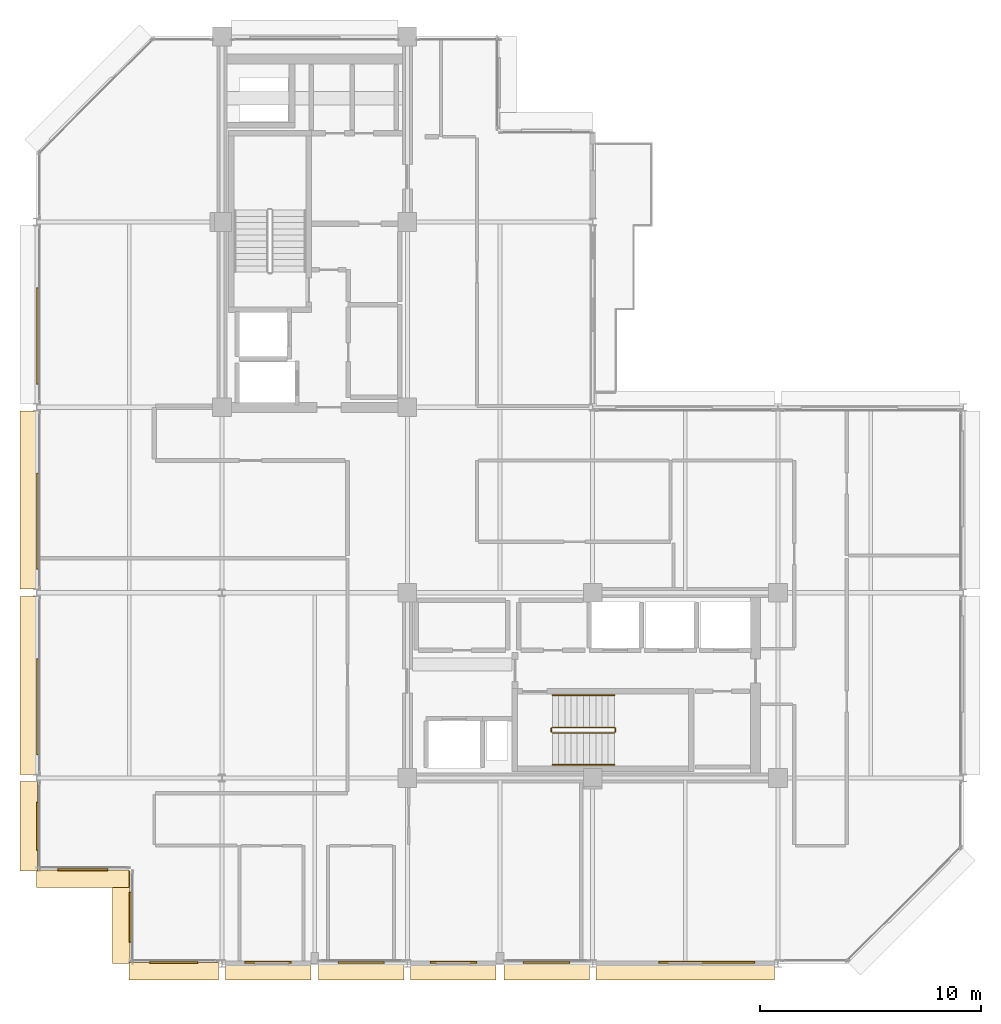
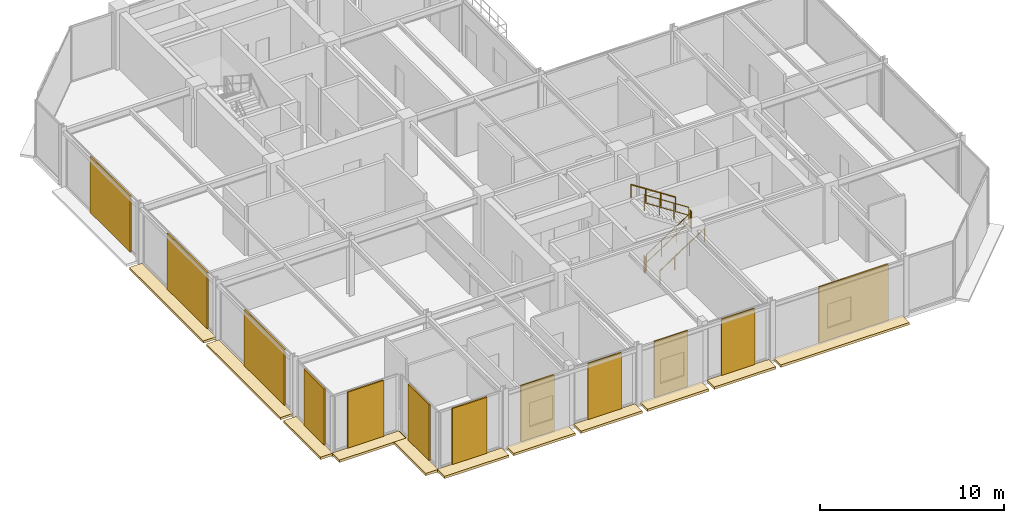
# One storey, part 24 of 27: 23 coverings, 6 railings.
"""IFC4 building model written with IfcOpenShell, lengths in metres."""

from ifc_helpers import new_model, si_unit, direction, frame, origin, origin_2d, place, context, subcontext, project, spatial, polyline, rectangle, circle, outline, extrude, material, layer, layer_set, type_object, element, save


model = new_model("IFC4")

# Units and contexts
model_context = context("Model", 3, precision=1e-05, world=origin(), true_north=direction((0.0, 1.0)))
body_context = subcontext(model_context, "Body", "Model", "MODEL_VIEW")
ifc_project = project(units=[si_unit("LENGTHUNIT", "METRE"), si_unit("AREAUNIT", "SQUARE_METRE"), si_unit("VOLUMEUNIT", "CUBIC_METRE"), si_unit("PLANEANGLEUNIT", "RADIAN"), si_unit("MASSUNIT", "GRAM", prefix="KILO")], contexts=[model_context])

# Site, building, storey
site_placement = place(None, origin())
site = spatial("IfcSite", under=ifc_project, at=site_placement, CompositionType="ELEMENT")
building_placement = place(site_placement, origin())
building = spatial("IfcBuilding", under=site, at=building_placement, Name="Nerrivon Quay Data Exchange", CompositionType="ELEMENT")
storey_placement = place(building_placement, frame((0.0, 0.0, 254.199951171875)))
storey = spatial("IfcBuildingStorey", under=building, at=storey_placement, Name="L60", CompositionType="ELEMENT", Elevation=254.199951171875)

# Coverings
ifc_material_1 = material(Name="Architectural terracotta ceramic", Category="masonry")
ifc_layer_1 = layer(ifc_material_1, 0.159912109375)
ifc_layer_set_1 = layer_set([ifc_layer_1], Name="Architectural terracotta ceramic")
covering_type_1 = type_object("IfcCoveringType", Name="COV-BLD-TERR", PredefinedType="CLADDING", material=ifc_layer_set_1)
covering_1_placement = place(storey_placement, frame((0.0, 0.0, -0.159912109375)))
element("IfcCovering", 1, at=covering_1_placement, inside=storey, type_object=covering_type_1, Name="L60 Horizontal Terracotta SOLAR SCREEN Blade", PredefinedType="CLADDING", context=body_context, shape_type="SweptSolid", body=[
    extrude(outline(polyline([(33.444580078125, 0.0400390625), (25.35546875, 0.0400390625), (25.35546875, -0.75), (33.444580078125, -0.75), (33.444580078125, 0.0400390625)])), origin(), (0.0, 0.0, 1.0), 0.159912109375),
])
covering_2_placement = place(storey_placement, frame((0.0, 0.0, -0.159912109375)))
element("IfcCovering", 2, at=covering_2_placement, inside=storey, type_object=covering_type_1, Name="L60 Horizontal Terracotta SOLAR SCREEN Blade", PredefinedType="CLADDING", context=body_context, shape_type="SweptSolid", body=[
    extrude(outline(polyline([(25.04443359375, 0.0400390625), (21.175048828125, 0.0400390625), (21.175048828125, -0.75), (25.04443359375, -0.75), (25.04443359375, 0.0400390625)])), origin(), (0.0, 0.0, 1.0), 0.159912109375),
])
covering_3_placement = place(storey_placement, frame((0.0, 0.0, -0.159912109375)))
element("IfcCovering", 3, at=covering_3_placement, inside=storey, type_object=covering_type_1, Name="L60 Horizontal Terracotta SOLAR SCREEN Blade", PredefinedType="CLADDING", context=body_context, shape_type="SweptSolid", body=[
    extrude(outline(polyline([(20.824951171875, 0.0400390625), (16.95556640625, 0.0400390625), (16.95556640625, -0.75), (20.824951171875, -0.75), (20.824951171875, 0.0400390625)])), origin(), (0.0, 0.0, 1.0), 0.159912109375),
])
covering_4_placement = place(storey_placement, frame((0.0, 0.0, -0.159912109375)))
element("IfcCovering", 4, at=covering_4_placement, inside=storey, type_object=covering_type_1, Name="L60 Horizontal Terracotta SOLAR SCREEN Blade", PredefinedType="CLADDING", context=body_context, shape_type="SweptSolid", body=[
    extrude(outline(polyline([(16.64453125, 0.0400390625), (12.77490234375, 0.0400390625), (12.77490234375, -0.75), (16.64453125, -0.75), (16.64453125, 0.0400390625)])), origin(), (0.0, 0.0, 1.0), 0.159912109375),
])
covering_5_placement = place(storey_placement, frame((0.0, 0.0, -0.159912109375)))
element("IfcCovering", 5, at=covering_5_placement, inside=storey, type_object=covering_type_1, Name="L60 Horizontal Terracotta SOLAR SCREEN Blade", PredefinedType="CLADDING", context=body_context, shape_type="SweptSolid", body=[
    extrude(outline(polyline([(12.425048828125, 0.0400390625), (8.555419921875, 0.0400390625), (8.555419921875, -0.75), (12.425048828125, -0.75), (12.425048828125, 0.0400390625)])), origin(), (0.0, 0.0, 1.0), 0.159912109375),
])
covering_6_placement = place(storey_placement, frame((0.0, 0.0, -0.159912109375)))
element("IfcCovering", 6, at=covering_6_placement, inside=storey, type_object=covering_type_1, Name="L60 Horizontal Terracotta SOLAR SCREEN Blade", PredefinedType="CLADDING", context=body_context, shape_type="SweptSolid", body=[
    extrude(outline(polyline([(8.244384765625, 0.0400390625), (4.199951171875, 0.0400390625), (4.199951171875, -0.75), (8.244384765625, -0.75), (8.244384765625, 0.0400390625)])), origin(), (0.0, 0.0, 1.0), 0.159912109375),
])
covering_7_placement = place(storey_placement, frame((0.0, 0.0, -0.159912109375)))
element("IfcCovering", 7, at=covering_7_placement, inside=storey, type_object=covering_type_1, Name="L60 Horizontal Terracotta SOLAR SCREEN Blade", PredefinedType="CLADDING", context=body_context, shape_type="SweptSolid", body=[
    extrude(outline(polyline([(4.239990234375, 0.0), (4.239990234375, 4.199951171875), (3.449951171875, 4.199951171875), (3.449951171875, 0.0), (4.239990234375, 0.0)])), origin(), (0.0, 0.0, 1.0), 0.159912109375),
])
covering_8_placement = place(storey_placement, frame((0.0, 0.0, -0.159912109375)))
element("IfcCovering", 8, at=covering_8_placement, inside=storey, type_object=covering_type_1, Name="L60 Horizontal Terracotta SOLAR SCREEN Blade", PredefinedType="CLADDING", context=body_context, shape_type="SweptSolid", body=[
    extrude(outline(polyline([(4.199951171875, 4.239990234375), (0.0, 4.239990234375), (0.0, 3.449951171875), (4.199951171875, 3.449951171875), (4.199951171875, 4.239990234375)])), origin(), (0.0, 0.0, 1.0), 0.159912109375),
])
covering_9_placement = place(storey_placement, frame((0.0, 0.0, -0.159912109375)))
element("IfcCovering", 9, at=covering_9_placement, inside=storey, type_object=covering_type_1, Name="L60 Horizontal Terracotta SOLAR SCREEN Blade", PredefinedType="CLADDING", context=body_context, shape_type="SweptSolid", body=[
    extrude(outline(polyline([(0.0400390625, 4.199951171875), (0.0400390625, 8.236572265625), (-0.75, 8.236572265625), (-0.75, 4.199951171875), (0.0400390625, 4.199951171875)])), origin(), (0.0, 0.0, 1.0), 0.159912109375),
])
covering_10_placement = place(storey_placement, frame((0.0, 0.0, -0.159912109375)))
element("IfcCovering", 10, at=covering_10_placement, inside=storey, type_object=covering_type_1, Name="L60 Horizontal Terracotta SOLAR SCREEN Blade", PredefinedType="CLADDING", context=body_context, shape_type="SweptSolid", body=[
    extrude(outline(polyline([(0.0400390625, 8.5634765625), (0.0400390625, 16.636474609375), (-0.75, 16.636474609375), (-0.75, 8.5634765625), (0.0400390625, 8.5634765625)])), origin(), (0.0, 0.0, 1.0), 0.159912109375),
])
covering_11_placement = place(storey_placement, frame((0.0, 0.0, -0.159912109375)))
element("IfcCovering", 11, at=covering_11_placement, inside=storey, type_object=covering_type_1, Name="L60 Horizontal Terracotta SOLAR SCREEN Blade", PredefinedType="CLADDING", context=body_context, shape_type="SweptSolid", body=[
    extrude(outline(polyline([(0.0400390625, 16.96337890625), (0.0400390625, 25.03662109375), (-0.75, 25.03662109375), (-0.75, 16.96337890625), (0.0400390625, 16.96337890625)])), origin(), (0.0, 0.0, 1.0), 0.159912109375),
])
ifc_layer_2 = layer(ifc_material_1, 0.090087890625)
ifc_layer_set_2 = layer_set([ifc_layer_2], Name="Architectural terracotta ceramic")
covering_type_2 = type_object("IfcCoveringType", Name="COV-SCR-TERR", PredefinedType="CLADDING", material=ifc_layer_set_2)
covering_12_placement = place(storey_placement, frame((30.37060546875, 0.044921875, 0.0), z_axis=(0.0, 0.0, 1.0), x_axis=(-1.0, 0.0, 0.0)))
element("IfcCovering", 12, at=covering_12_placement, inside=storey, type_object=covering_type_2, Name="L60 Perforated Terracotta SOLAR SCREEN Cassette", PredefinedType="CLADDING", context=body_context, shape_type="SweptSolid", body=[
    extrude(rectangle(XDim=4.367919921875, YDim=0.090087890625, at=origin_2d()), origin(), (0.0, 0.0, 1.0), 3.72509765625),
])
for number, where, z_axis, x_axis, name in (
    (13, (23.109619140625, 0.044921875, 0.0), (0.0, 0.0, 1.0), (-1.0, 0.0, 0.0), "L60 Perforated Terracotta SOLAR SCREEN Cassette"),
    (14, (18.890380859375, 0.044921875, 0.0), (0.0, 0.0, 1.0), (-1.0, 0.0, 0.0), "L60 Perforated Terracotta SOLAR SCREEN Cassette"),
    (15, (14.709716796875, 0.044921875, 0.0), (0.0, 0.0, 1.0), (-1.0, 0.0, 0.0), "L60 Perforated Terracotta SOLAR SCREEN Cassette"),
    (16, (10.490234375, 0.044921875, 0.0), (0.0, 0.0, 1.0), (-1.0, 0.0, 0.0), "L60 Perforated Terracotta SOLAR SCREEN Cassette"),
):
    element("IfcCovering", number, at=place(storey_placement, frame(where, z_axis=z_axis, x_axis=x_axis)), inside=storey, type_object=covering_type_2, Name=name, PredefinedType="CLADDING", context=body_context, shape_type="SweptSolid", body=[
        extrude(rectangle(XDim=2.090087890625, YDim=0.090087890625, at=origin_2d()), origin(), (0.0, 0.0, 1.0), 3.72509765625),
    ])
covering_13_placement = place(storey_placement, frame((6.222412109375, 0.044921875, 0.0), z_axis=(0.0, 0.0, 1.0), x_axis=(-1.0, 0.0, 0.0)))
element("IfcCovering", 17, at=covering_13_placement, inside=storey, type_object=covering_type_2, Name="L60 Perforated Terracotta SOLAR SCREEN Cassette", PredefinedType="CLADDING", context=body_context, shape_type="SweptSolid", body=[
    extrude(rectangle(XDim=2.18408203125, YDim=0.090087890625, at=origin_2d()), origin(), (0.0, 0.0, 1.0), 3.72509765625),
])
for number, where, z_axis, x_axis, name in (
    (18, (4.2451171875, 2.10009765625, 0.0), (0.0, 0.0, 1.0), (0.0, 1.0, 0.0), "L60 Perforated Terracotta SOLAR SCREEN Cassette"),
    (19, (2.10009765625, 4.2451171875, 0.0), (0.0, 0.0, 1.0), (-1.0, 0.0, 0.0), "L60 Perforated Terracotta SOLAR SCREEN Cassette"),
):
    element("IfcCovering", number, at=place(storey_placement, frame(where, z_axis=z_axis, x_axis=x_axis)), inside=storey, type_object=covering_type_2, Name=name, PredefinedType="CLADDING", context=body_context, shape_type="SweptSolid", body=[
        extrude(rectangle(XDim=2.26806640625, YDim=0.090087890625, at=origin_2d()), origin(), (0.0, 0.0, 1.0), 3.72509765625),
    ])
covering_14_placement = place(storey_placement, frame((0.044921875, 6.21826171875, 0.0), z_axis=(0.0, 0.0, 1.0), x_axis=(0.0, 1.0, 0.0)))
element("IfcCovering", 20, at=covering_14_placement, inside=storey, type_object=covering_type_2, Name="L60 Perforated Terracotta SOLAR SCREEN Cassette", PredefinedType="CLADDING", context=body_context, shape_type="SweptSolid", body=[
    extrude(rectangle(XDim=2.179931640625, YDim=0.090087890625, at=origin_2d()), origin(), (0.0, 0.0, 1.0), 3.72509765625),
])
for number, where, z_axis, x_axis, name in (
    (21, (0.044921875, 11.631103515625, 0.0), (0.0, 0.0, 1.0), (0.0, 1.0, 0.0), "L60 Perforated Terracotta SOLAR SCREEN Cassette"),
    (22, (0.044921875, 20.03125, 0.0), (0.0, 0.0, 1.0), (0.0, 1.0, 0.0), "L60 Perforated Terracotta SOLAR SCREEN Cassette"),
    (23, (0.044921875, 28.43115234375, 0.0), (0.0, 0.0, 1.0), (0.0, 1.0, 0.0), "L60 Perforated Terracotta SOLAR SCREEN Cassette"),
):
    element("IfcCovering", number, at=place(storey_placement, frame(where, z_axis=z_axis, x_axis=x_axis)), inside=storey, type_object=covering_type_2, Name=name, PredefinedType="CLADDING", context=body_context, shape_type="SweptSolid", body=[
        extrude(rectangle(XDim=4.35888671875, YDim=0.090087890625, at=origin_2d()), origin(), (0.0, 0.0, 1.0), 3.72509765625),
    ])

# Railings
ifc_material_2 = material(Name="Steel Grade C350L0 (350 MPa)", Category="steel")
railing_type_1 = type_object("IfcRailingType", Name="RAIL-HAND-HR1", PredefinedType="HANDRAIL", material=ifc_material_2)
railing_1_placement = place(storey_placement, frame((23.3798828125, 9.0, 0.181884765625)))
element("IfcRailing", 24, at=railing_1_placement, inside=storey, type_object=railing_type_1, Name="L60 ST02 stair handrail 1", PredefinedType="HANDRAIL", context=body_context, shape_type="SweptSolid", body=[
    extrude(circle(Radius=0.02392578125, at=origin_2d()), frame((0.0, 0.0, 0.8759765625), z_axis=(0.838705829183, 0.0, 0.544584733623), x_axis=(0.0, 1.0, 0.0)), (0.0, 0.0, 1.0), 3.338623046875),
    extrude(circle(Radius=0.02099609375, at=origin_2d()), origin(), (0.0, 0.0, 1.0), 0.851806640625),
    extrude(circle(Radius=0.02099609375, at=origin_2d()), frame((0.933349609375, 0.0, 0.60595703125)), (0.0, 0.0, 1.0), 0.851806640625),
    extrude(circle(Radius=0.02099609375, at=origin_2d()), frame((1.86669921875, 0.0, 1.212158203125)), (0.0, 0.0, 1.0), 0.851806640625),
    extrude(circle(Radius=0.02099609375, at=origin_2d()), frame((2.800048828125, 0.0, 1.818115234375)), (0.0, 0.0, 1.0), 0.851806640625),
])
railing_2_placement = place(storey_placement, frame((26.179931640625, 12.14990234375, 2.181884765625)))
element("IfcRailing", 25, at=railing_2_placement, inside=storey, type_object=railing_type_1, Name="L60 ST02 stair handrail 2", PredefinedType="HANDRAIL", context=body_context, shape_type="SweptSolid", body=[
    extrude(circle(Radius=0.02392578125, at=origin_2d()), frame((0.0, 0.0, 0.8759765625), z_axis=(-0.838705829183, 0.0, 0.544584733623), x_axis=(0.0, -1.0, 0.0)), (0.0, 0.0, 1.0), 3.338623046875),
    extrude(circle(Radius=0.02099609375, at=origin_2d()), origin(), (0.0, 0.0, 1.0), 0.851806640625),
    extrude(circle(Radius=0.02099609375, at=origin_2d()), frame((-0.933349609375, 0.0, 0.60595703125)), (0.0, 0.0, 1.0), 0.851806640625),
    extrude(circle(Radius=0.02099609375, at=origin_2d()), frame((-1.86669921875, 0.0, 1.212158203125)), (0.0, 0.0, 1.0), 0.851806640625),
    extrude(circle(Radius=0.02099609375, at=origin_2d()), frame((-2.800048828125, 0.0, 1.818115234375)), (0.0, 0.0, 1.0), 0.851806640625),
])
railing_type_2 = type_object("IfcRailingType", Name="RAIL-STAIR-GR1", PredefinedType="BALUSTRADE", material=ifc_material_2)
railing_3_placement = place(storey_placement, frame((23.3798828125, 10.449951171875, 0.181884765625)))
element("IfcRailing", 26, at=railing_3_placement, inside=storey, type_object=railing_type_2, Name="L60 ST02 stair guard 1", PredefinedType="BALUSTRADE", context=body_context, shape_type="SweptSolid", body=[
    extrude(circle(Radius=0.02392578125, at=origin_2d()), frame((0.0, 0.0, 1.076171875), z_axis=(0.838705829183, 0.0, 0.544584733623), x_axis=(0.0, 1.0, 0.0)), (0.0, 0.0, 1.0), 3.338623046875),
    extrude(circle(Radius=0.02392578125, at=origin_2d()), frame((0.0, 0.0, 0.550048828125), z_axis=(0.838705829183, 0.0, 0.544584733623), x_axis=(0.0, 1.0, 0.0)), (0.0, 0.0, 1.0), 3.338623046875),
    extrude(circle(Radius=0.02099609375, at=origin_2d()), origin(), (0.0, 0.0, 1.0), 1.052001953125),
    extrude(circle(Radius=0.02099609375, at=origin_2d()), frame((0.933349609375, 0.0, 0.60595703125)), (0.0, 0.0, 1.0), 1.052001953125),
    extrude(circle(Radius=0.02099609375, at=origin_2d()), frame((1.86669921875, 0.0, 1.212158203125)), (0.0, 0.0, 1.0), 1.052001953125),
    extrude(circle(Radius=0.02099609375, at=origin_2d()), frame((2.800048828125, 0.0, 1.818115234375)), (0.0, 0.0, 1.0), 1.052001953125),
])
railing_4_placement = place(storey_placement, frame((26.22998046875, 10.5, 2.0)))
element("IfcRailing", 27, at=railing_4_placement, inside=storey, type_object=railing_type_2, Name="L60 ST02 stair guard 2", PredefinedType="BALUSTRADE", context=body_context, shape_type="SweptSolid", body=[
    extrude(circle(Radius=0.02392578125, at=origin_2d()), frame((0.0, 0.0, 1.076171875), z_axis=(0.0, 1.0, 0.0), x_axis=(-1.0, 0.0, 0.0)), (0.0, 0.0, 1.0), 0.14990234375),
    extrude(circle(Radius=0.02392578125, at=origin_2d()), frame((0.0, 0.0, 0.550048828125), z_axis=(0.0, 1.0, 0.0), x_axis=(-1.0, 0.0, 0.0)), (0.0, 0.0, 1.0), 0.14990234375),
    extrude(circle(Radius=0.02099609375, at=origin_2d()), origin(), (0.0, 0.0, 1.0), 1.052001953125),
    extrude(circle(Radius=0.02099609375, at=origin_2d()), frame((0.0, 0.14990234375, 0.0)), (0.0, 0.0, 1.0), 1.052001953125),
])
railing_5_placement = place(storey_placement, frame((26.179931640625, 10.699951171875, 2.181884765625)))
element("IfcRailing", 28, at=railing_5_placement, inside=storey, type_object=railing_type_2, Name="L60 ST02 stair guard 3", PredefinedType="BALUSTRADE", context=body_context, shape_type="SweptSolid", body=[
    extrude(circle(Radius=0.02392578125, at=origin_2d()), frame((0.0, 0.0, 1.076171875), z_axis=(-0.838705829183, 0.0, 0.544584733623), x_axis=(0.0, -1.0, 0.0)), (0.0, 0.0, 1.0), 3.338623046875),
    extrude(circle(Radius=0.02392578125, at=origin_2d()), frame((0.0, 0.0, 0.550048828125), z_axis=(-0.838705829183, 0.0, 0.544584733623), x_axis=(0.0, -1.0, 0.0)), (0.0, 0.0, 1.0), 3.338623046875),
    extrude(circle(Radius=0.02099609375, at=origin_2d()), origin(), (0.0, 0.0, 1.0), 1.052001953125),
    extrude(circle(Radius=0.02099609375, at=origin_2d()), frame((-0.933349609375, 0.0, 0.60595703125)), (0.0, 0.0, 1.0), 1.052001953125),
    extrude(circle(Radius=0.02099609375, at=origin_2d()), frame((-1.86669921875, 0.0, 1.212158203125)), (0.0, 0.0, 1.0), 1.052001953125),
    extrude(circle(Radius=0.02099609375, at=origin_2d()), frame((-2.800048828125, 0.0, 1.818115234375)), (0.0, 0.0, 1.0), 1.052001953125),
])
railing_6_placement = place(storey_placement, frame((23.330078125, 10.5, 0.0)))
element("IfcRailing", 29, at=railing_6_placement, inside=storey, type_object=railing_type_2, Name="L60 ST02 stair guard 4", PredefinedType="BALUSTRADE", context=body_context, shape_type="SweptSolid", body=[
    extrude(circle(Radius=0.02392578125, at=origin_2d()), frame((0.0, 0.0, 1.076171875), z_axis=(0.0, 1.0, 0.0), x_axis=(-1.0, 0.0, 0.0)), (0.0, 0.0, 1.0), 0.14990234375),
    extrude(circle(Radius=0.02392578125, at=origin_2d()), frame((0.0, 0.0, 0.550048828125), z_axis=(0.0, 1.0, 0.0), x_axis=(-1.0, 0.0, 0.0)), (0.0, 0.0, 1.0), 0.14990234375),
    extrude(circle(Radius=0.02099609375, at=origin_2d()), origin(), (0.0, 0.0, 1.0), 1.052001953125),
    extrude(circle(Radius=0.02099609375, at=origin_2d()), frame((0.0, 0.14990234375, 0.0)), (0.0, 0.0, 1.0), 1.052001953125),
])

save(model, "model.ifc")
